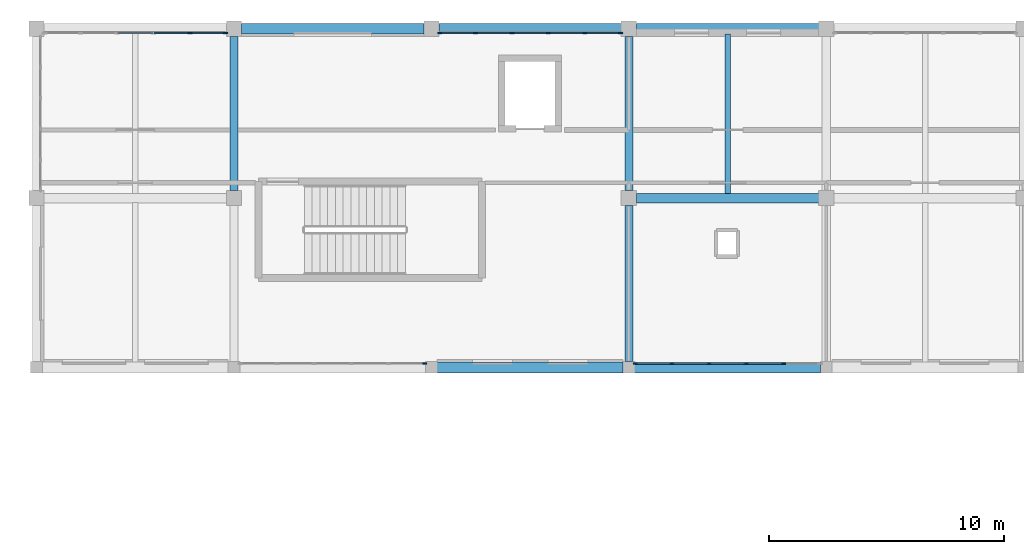
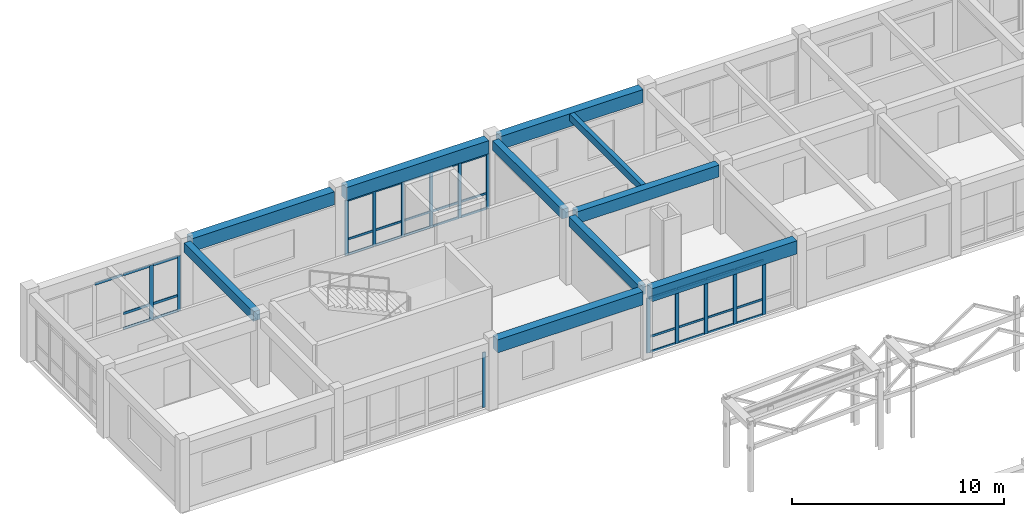
# One storey, part 35 of 89: 48 members, 10 beams, 4 elements without a shape of their own.
"""IFC4 building model written with IfcOpenShell, lengths in metres."""

from ifc_helpers import new_model, si_unit, direction, frame, origin, origin_2d, place, context, subcontext, project, spatial, rectangle, extrude, material, material_profile, profile_set, type_object, element, aggregate, save


model = new_model("IFC4")

# Units and contexts
model_context = context("Model", 3, precision=1e-05, world=origin(), true_north=direction((0.0, 1.0)))
body_context = subcontext(model_context, "Body", "Model", "MODEL_VIEW")
ifc_project = project(units=[si_unit("LENGTHUNIT", "METRE"), si_unit("AREAUNIT", "SQUARE_METRE"), si_unit("VOLUMEUNIT", "CUBIC_METRE"), si_unit("PLANEANGLEUNIT", "RADIAN"), si_unit("MASSUNIT", "GRAM", prefix="KILO")], contexts=[model_context])

# Site, building, storey
site_placement = place(None, origin())
site = spatial("IfcSite", under=ifc_project, at=site_placement, CompositionType="ELEMENT")
building_placement = place(site_placement, origin())
building = spatial("IfcBuilding", under=site, at=building_placement, Name="Malvenik Polytechnic", CompositionType="ELEMENT")
storey_placement = place(building_placement, frame((0.0, 0.0, 13.5)))
storey = spatial("IfcBuildingStorey", under=building, at=storey_placement, Name="L03", CompositionType="ELEMENT", Elevation=13.5)

# Curtain wall, member
ifc_material_1 = material(Name="Anodised aluminium 6060-T6", Category="aluminium")
curtain_wall_type = type_object("IfcCurtainWallType", Name="ARC-CW-CW-02", PredefinedType="NOTDEFINED", material=ifc_material_1)
curtain_wall_1_placement = place(storey_placement, origin())
curtain_wall_1 = element("IfcCurtainWall", 1, at=curtain_wall_1_placement, inside=storey, type_object=curtain_wall_type, Name="Unitised Curtain Wall CW-02 L03 #172", PredefinedType="NOTDEFINED")
ifc_material_2 = material(Name="Anodised aluminium", Category="aluminium")
ifc_material_profile_1 = material_profile(ifc_material_2, rectangle(XDim=0.06005859375, YDim=0.179931640625, at=origin_2d()), Name="ALU MULLION 60x180")
ifc_profile_set_1 = profile_set([ifc_material_profile_1], Name="Anodised aluminium")
member_type_1 = type_object("IfcMemberType", Name="ARC-CWM-180", PredefinedType="MULLION", material=ifc_profile_set_1)
member_1_placement = place(storey_placement, frame((16.52197265625, 115.3701171875, 0.0), z_axis=(0.0, 0.0, 1.0), x_axis=(0.0, -1.0, 0.0)))
member_1 = element("IfcMember", 2, at=member_1_placement, type_object=member_type_1, Name="CW-02 mullion 1", PredefinedType="MULLION", context=body_context, shape_type="SweptSolid", body=[
    extrude(rectangle(XDim=0.06005859375, YDim=0.179931640625, at=origin_2d()), origin(), (0.0, 0.0, 1.0), 3.159912109375),
])
aggregate(curtain_wall_1, [member_1])

# Curtain wall, members
curtain_wall_2_placement = place(storey_placement, origin())
curtain_wall_2 = element("IfcCurtainWall", 3, at=curtain_wall_2_placement, inside=storey, type_object=curtain_wall_type, Name="Unitised Curtain Wall CW-02 L03 #175", PredefinedType="NOTDEFINED")
member_2_placement = place(storey_placement, frame((17.153076171875, 129.429931640625, 0.0), z_axis=(0.0, 0.0, 1.0), x_axis=(0.0, 1.0, 0.0)))
member_2 = element("IfcMember", 4, at=member_2_placement, type_object=member_type_1, Name="CW-02 mullion 1", PredefinedType="MULLION", context=body_context, shape_type="SweptSolid", body=[
    extrude(rectangle(XDim=0.06005859375, YDim=0.179931640625, at=origin_2d()), origin(), (0.0, 0.0, 1.0), 3.159912109375),
])
member_3_placement = place(storey_placement, frame((18.673828125, 129.429931640625, 0.0), z_axis=(0.0, 0.0, 1.0), x_axis=(0.0, 1.0, 0.0)))
member_3 = element("IfcMember", 5, at=member_3_placement, type_object=member_type_1, Name="CW-02 mullion 2", PredefinedType="MULLION", context=body_context, shape_type="SweptSolid", body=[
    extrude(rectangle(XDim=0.06005859375, YDim=0.179931640625, at=origin_2d()), origin(), (0.0, 0.0, 1.0), 3.159912109375),
])
member_4_placement = place(storey_placement, frame((20.224609375, 129.429931640625, 0.0), z_axis=(0.0, 0.0, 1.0), x_axis=(0.0, 1.0, 0.0)))
member_4 = element("IfcMember", 6, at=member_4_placement, type_object=member_type_1, Name="CW-02 mullion 3", PredefinedType="MULLION", context=body_context, shape_type="SweptSolid", body=[
    extrude(rectangle(XDim=0.06005859375, YDim=0.179931640625, at=origin_2d()), origin(), (0.0, 0.0, 1.0), 3.159912109375),
])
member_5_placement = place(storey_placement, frame((21.775390625, 129.429931640625, 0.0), z_axis=(0.0, 0.0, 1.0), x_axis=(0.0, 1.0, 0.0)))
member_5 = element("IfcMember", 7, at=member_5_placement, type_object=member_type_1, Name="CW-02 mullion 4", PredefinedType="MULLION", context=body_context, shape_type="SweptSolid", body=[
    extrude(rectangle(XDim=0.06005859375, YDim=0.179931640625, at=origin_2d()), origin(), (0.0, 0.0, 1.0), 3.159912109375),
])
member_6_placement = place(storey_placement, frame((23.326171875, 129.429931640625, 0.0), z_axis=(0.0, 0.0, 1.0), x_axis=(0.0, 1.0, 0.0)))
member_6 = element("IfcMember", 8, at=member_6_placement, type_object=member_type_1, Name="CW-02 mullion 5", PredefinedType="MULLION", context=body_context, shape_type="SweptSolid", body=[
    extrude(rectangle(XDim=0.06005859375, YDim=0.179931640625, at=origin_2d()), origin(), (0.0, 0.0, 1.0), 3.159912109375),
])
member_7_placement = place(storey_placement, frame((24.846923828125, 129.429931640625, 0.0), z_axis=(0.0, 0.0, 1.0), x_axis=(0.0, 1.0, 0.0)))
member_7 = element("IfcMember", 9, at=member_7_placement, type_object=member_type_1, Name="CW-02 mullion 6", PredefinedType="MULLION", context=body_context, shape_type="SweptSolid", body=[
    extrude(rectangle(XDim=0.06005859375, YDim=0.179931640625, at=origin_2d()), origin(), (0.0, 0.0, 1.0), 3.159912109375),
])

curtain_wall_3_placement = place(storey_placement, origin())
curtain_wall_3 = element("IfcCurtainWall", 10, at=curtain_wall_3_placement, inside=storey, type_object=curtain_wall_type, Name="Unitised Curtain Wall CW-02 L03 #171", PredefinedType="NOTDEFINED")
ifc_material_profile_2 = material_profile(ifc_material_2, rectangle(XDim=0.06005859375, YDim=0.199951171875, at=origin_2d()), Name="ALU MULLION 60x200")
ifc_profile_set_2 = profile_set([ifc_material_profile_2], Name="Anodised aluminium")
member_type_2 = type_object("IfcMemberType", Name="ARC-CWM-200", PredefinedType="MULLION", material=ifc_profile_set_2)
member_8_placement = place(storey_placement, frame((31.771240234375, 115.3701171875, 0.0), z_axis=(0.0, 0.0, 1.0), x_axis=(0.0, -1.0, 0.0)))
member_8 = element("IfcMember", 11, at=member_8_placement, type_object=member_type_2, Name="CW-02 mullion 2", PredefinedType="MULLION", context=body_context, shape_type="SweptSolid", body=[
    extrude(rectangle(XDim=0.06005859375, YDim=0.199951171875, at=origin_2d()), origin(), (0.0, 0.0, 1.0), 3.159912109375),
])
member_9_placement = place(storey_placement, frame((30.1904296875, 115.3701171875, 0.0), z_axis=(0.0, 0.0, 1.0), x_axis=(0.0, -1.0, 0.0)))
member_9 = element("IfcMember", 12, at=member_9_placement, type_object=member_type_2, Name="CW-02 mullion 3", PredefinedType="MULLION", context=body_context, shape_type="SweptSolid", body=[
    extrude(rectangle(XDim=0.06005859375, YDim=0.199951171875, at=origin_2d()), origin(), (0.0, 0.0, 1.0), 3.159912109375),
])
member_10_placement = place(storey_placement, frame((28.609619140625, 115.3701171875, 0.0), z_axis=(0.0, 0.0, 1.0), x_axis=(0.0, -1.0, 0.0)))
member_10 = element("IfcMember", 13, at=member_10_placement, type_object=member_type_2, Name="CW-02 mullion 4", PredefinedType="MULLION", context=body_context, shape_type="SweptSolid", body=[
    extrude(rectangle(XDim=0.06005859375, YDim=0.199951171875, at=origin_2d()), origin(), (0.0, 0.0, 1.0), 3.159912109375),
])
member_11_placement = place(storey_placement, frame((27.02880859375, 115.3701171875, 0.0), z_axis=(0.0, 0.0, 1.0), x_axis=(0.0, -1.0, 0.0)))
member_11 = element("IfcMember", 14, at=member_11_placement, type_object=member_type_2, Name="CW-02 mullion 5", PredefinedType="MULLION", context=body_context, shape_type="SweptSolid", body=[
    extrude(rectangle(XDim=0.06005859375, YDim=0.199951171875, at=origin_2d()), origin(), (0.0, 0.0, 1.0), 3.159912109375),
])
member_12_placement = place(storey_placement, frame((25.47802734375, 115.3701171875, 0.0), z_axis=(0.0, 0.0, 1.0), x_axis=(0.0, -1.0, 0.0)))
member_12 = element("IfcMember", 15, at=member_12_placement, type_object=member_type_2, Name="CW-02 mullion 6", PredefinedType="MULLION", context=body_context, shape_type="SweptSolid", body=[
    extrude(rectangle(XDim=0.06005859375, YDim=0.199951171875, at=origin_2d()), origin(), (0.0, 0.0, 1.0), 3.159912109375),
])

curtain_wall_4_placement = place(storey_placement, origin())
curtain_wall_4 = element("IfcCurtainWall", 16, at=curtain_wall_4_placement, inside=storey, type_object=curtain_wall_type, Name="Unitised Curtain Wall CW-02 L03 #174", PredefinedType="NOTDEFINED")
member_13_placement = place(storey_placement, frame((6.526123046875, 129.429931640625, 0.0), z_axis=(0.0, 0.0, 1.0), x_axis=(0.0, 1.0, 0.0)))
member_13 = element("IfcMember", 17, at=member_13_placement, type_object=member_type_2, Name="CW-02 mullion 5", PredefinedType="MULLION", context=body_context, shape_type="SweptSolid", body=[
    extrude(rectangle(XDim=0.06005859375, YDim=0.199951171875, at=origin_2d()), origin(), (0.0, 0.0, 1.0), 3.159912109375),
])
member_14_placement = place(storey_placement, frame((8.047119140625, 129.429931640625, 0.0), z_axis=(0.0, 0.0, 1.0), x_axis=(0.0, 1.0, 0.0)))
member_14 = element("IfcMember", 18, at=member_14_placement, type_object=member_type_2, Name="CW-02 mullion 6", PredefinedType="MULLION", context=body_context, shape_type="SweptSolid", body=[
    extrude(rectangle(XDim=0.06005859375, YDim=0.199951171875, at=origin_2d()), origin(), (0.0, 0.0, 1.0), 3.159912109375),
])

# Member
ifc_material_profile_3 = material_profile(ifc_material_2, rectangle(XDim=0.06005859375, YDim=0.1201171875, at=origin_2d()), Name="ALU TRANSOM 60x120")
ifc_profile_set_3 = profile_set([ifc_material_profile_3], Name="Anodised aluminium")
member_type_3 = type_object("IfcMemberType", Name="ARC-CWT-120", PredefinedType="USERDEFINED", material=ifc_profile_set_3)
member_15_placement = place(storey_placement, frame((31.7412109375, 115.3701171875, 0.030029296875), z_axis=(-1.0, 0.0, 0.0), x_axis=(0.0, -1.0, 0.0)))
member_15 = element("IfcMember", 19, at=member_15_placement, type_object=member_type_3, Name="CW-02 transom 2.1", ObjectType="TRANSOM", PredefinedType="USERDEFINED", context=body_context, shape_type="SweptSolid", body=[
    extrude(rectangle(XDim=0.06005859375, YDim=0.1201171875, at=origin_2d()), origin(), (0.0, 0.0, 1.0), 1.520751953125),
])

member_16_placement = place(storey_placement, frame((31.7412109375, 115.3701171875, 0.89990234375), z_axis=(-1.0, 0.0, 0.0), x_axis=(0.0, -1.0, 0.0)))
member_16 = element("IfcMember", 20, at=member_16_placement, type_object=member_type_3, Name="CW-02 transom 2.2", ObjectType="TRANSOM", PredefinedType="USERDEFINED", context=body_context, shape_type="SweptSolid", body=[
    extrude(rectangle(XDim=0.06005859375, YDim=0.1201171875, at=origin_2d()), origin(), (0.0, 0.0, 1.0), 1.520751953125),
])

member_17_placement = place(storey_placement, frame((31.7412109375, 115.3701171875, 3.1298828125), z_axis=(-1.0, 0.0, 0.0), x_axis=(0.0, -1.0, 0.0)))
member_17 = element("IfcMember", 21, at=member_17_placement, type_object=member_type_3, Name="CW-02 transom 2.3", ObjectType="TRANSOM", PredefinedType="USERDEFINED", context=body_context, shape_type="SweptSolid", body=[
    extrude(rectangle(XDim=0.06005859375, YDim=0.1201171875, at=origin_2d()), origin(), (0.0, 0.0, 1.0), 1.520751953125),
])

member_18_placement = place(storey_placement, frame((30.160400390625, 115.3701171875, 0.030029296875), z_axis=(-1.0, 0.0, 0.0), x_axis=(0.0, -1.0, 0.0)))
member_18 = element("IfcMember", 22, at=member_18_placement, type_object=member_type_3, Name="CW-02 transom 3.1", ObjectType="TRANSOM", PredefinedType="USERDEFINED", context=body_context, shape_type="SweptSolid", body=[
    extrude(rectangle(XDim=0.06005859375, YDim=0.1201171875, at=origin_2d()), origin(), (0.0, 0.0, 1.0), 1.520751953125),
])

member_19_placement = place(storey_placement, frame((30.160400390625, 115.3701171875, 0.89990234375), z_axis=(-1.0, 0.0, 0.0), x_axis=(0.0, -1.0, 0.0)))
member_19 = element("IfcMember", 23, at=member_19_placement, type_object=member_type_3, Name="CW-02 transom 3.2", ObjectType="TRANSOM", PredefinedType="USERDEFINED", context=body_context, shape_type="SweptSolid", body=[
    extrude(rectangle(XDim=0.06005859375, YDim=0.1201171875, at=origin_2d()), origin(), (0.0, 0.0, 1.0), 1.520751953125),
])

member_20_placement = place(storey_placement, frame((30.160400390625, 115.3701171875, 3.1298828125), z_axis=(-1.0, 0.0, 0.0), x_axis=(0.0, -1.0, 0.0)))
member_20 = element("IfcMember", 24, at=member_20_placement, type_object=member_type_3, Name="CW-02 transom 3.3", ObjectType="TRANSOM", PredefinedType="USERDEFINED", context=body_context, shape_type="SweptSolid", body=[
    extrude(rectangle(XDim=0.06005859375, YDim=0.1201171875, at=origin_2d()), origin(), (0.0, 0.0, 1.0), 1.520751953125),
])

member_21_placement = place(storey_placement, frame((28.57958984375, 115.3701171875, 0.030029296875), z_axis=(-1.0, 0.0, 0.0), x_axis=(0.0, -1.0, 0.0)))
member_21 = element("IfcMember", 25, at=member_21_placement, type_object=member_type_3, Name="CW-02 transom 4.1", ObjectType="TRANSOM", PredefinedType="USERDEFINED", context=body_context, shape_type="SweptSolid", body=[
    extrude(rectangle(XDim=0.06005859375, YDim=0.1201171875, at=origin_2d()), origin(), (0.0, 0.0, 1.0), 1.520751953125),
])

member_22_placement = place(storey_placement, frame((28.57958984375, 115.3701171875, 0.89990234375), z_axis=(-1.0, 0.0, 0.0), x_axis=(0.0, -1.0, 0.0)))
member_22 = element("IfcMember", 26, at=member_22_placement, type_object=member_type_3, Name="CW-02 transom 4.2", ObjectType="TRANSOM", PredefinedType="USERDEFINED", context=body_context, shape_type="SweptSolid", body=[
    extrude(rectangle(XDim=0.06005859375, YDim=0.1201171875, at=origin_2d()), origin(), (0.0, 0.0, 1.0), 1.520751953125),
])

member_23_placement = place(storey_placement, frame((28.57958984375, 115.3701171875, 3.1298828125), z_axis=(-1.0, 0.0, 0.0), x_axis=(0.0, -1.0, 0.0)))
member_23 = element("IfcMember", 27, at=member_23_placement, type_object=member_type_3, Name="CW-02 transom 4.3", ObjectType="TRANSOM", PredefinedType="USERDEFINED", context=body_context, shape_type="SweptSolid", body=[
    extrude(rectangle(XDim=0.06005859375, YDim=0.1201171875, at=origin_2d()), origin(), (0.0, 0.0, 1.0), 1.520751953125),
])

member_24_placement = place(storey_placement, frame((26.998779296875, 115.3701171875, 0.030029296875), z_axis=(-1.0, 0.0, 0.0), x_axis=(0.0, -1.0, 0.0)))
member_24 = element("IfcMember", 28, at=member_24_placement, type_object=member_type_3, Name="CW-02 transom 5.1", ObjectType="TRANSOM", PredefinedType="USERDEFINED", context=body_context, shape_type="SweptSolid", body=[
    extrude(rectangle(XDim=0.06005859375, YDim=0.1201171875, at=origin_2d()), origin(), (0.0, 0.0, 1.0), 1.49072265625),
])

member_25_placement = place(storey_placement, frame((26.998779296875, 115.3701171875, 0.89990234375), z_axis=(-1.0, 0.0, 0.0), x_axis=(0.0, -1.0, 0.0)))
member_25 = element("IfcMember", 29, at=member_25_placement, type_object=member_type_3, Name="CW-02 transom 5.2", ObjectType="TRANSOM", PredefinedType="USERDEFINED", context=body_context, shape_type="SweptSolid", body=[
    extrude(rectangle(XDim=0.06005859375, YDim=0.1201171875, at=origin_2d()), origin(), (0.0, 0.0, 1.0), 1.49072265625),
])

member_26_placement = place(storey_placement, frame((26.998779296875, 115.3701171875, 3.1298828125), z_axis=(-1.0, 0.0, 0.0), x_axis=(0.0, -1.0, 0.0)))
member_26 = element("IfcMember", 30, at=member_26_placement, type_object=member_type_3, Name="CW-02 transom 5.3", ObjectType="TRANSOM", PredefinedType="USERDEFINED", context=body_context, shape_type="SweptSolid", body=[
    extrude(rectangle(XDim=0.06005859375, YDim=0.1201171875, at=origin_2d()), origin(), (0.0, 0.0, 1.0), 1.49072265625),
])

aggregate(curtain_wall_3, [member_8, member_9, member_10, member_11, member_12, member_15, member_16, member_17, member_18, member_19, member_20, member_21, member_22, member_23, member_24, member_25, member_26])

member_27_placement = place(storey_placement, frame((17.18310546875, 129.429931640625, 0.030029296875), z_axis=(1.0, 0.0, 0.0), x_axis=(0.0, 1.0, 0.0)))
member_27 = element("IfcMember", 31, at=member_27_placement, type_object=member_type_3, Name="CW-02 transom 1.1", ObjectType="TRANSOM", PredefinedType="USERDEFINED", context=body_context, shape_type="SweptSolid", body=[
    extrude(rectangle(XDim=0.06005859375, YDim=0.1201171875, at=origin_2d()), origin(), (0.0, 0.0, 1.0), 1.460693359375),
])

member_28_placement = place(storey_placement, frame((17.18310546875, 129.429931640625, 0.89990234375), z_axis=(1.0, 0.0, 0.0), x_axis=(0.0, 1.0, 0.0)))
member_28 = element("IfcMember", 32, at=member_28_placement, type_object=member_type_3, Name="CW-02 transom 1.2", ObjectType="TRANSOM", PredefinedType="USERDEFINED", context=body_context, shape_type="SweptSolid", body=[
    extrude(rectangle(XDim=0.06005859375, YDim=0.1201171875, at=origin_2d()), origin(), (0.0, 0.0, 1.0), 1.460693359375),
])

member_29_placement = place(storey_placement, frame((17.18310546875, 129.429931640625, 3.1298828125), z_axis=(1.0, 0.0, 0.0), x_axis=(0.0, 1.0, 0.0)))
member_29 = element("IfcMember", 33, at=member_29_placement, type_object=member_type_3, Name="CW-02 transom 1.3", ObjectType="TRANSOM", PredefinedType="USERDEFINED", context=body_context, shape_type="SweptSolid", body=[
    extrude(rectangle(XDim=0.06005859375, YDim=0.1201171875, at=origin_2d()), origin(), (0.0, 0.0, 1.0), 1.460693359375),
])

member_30_placement = place(storey_placement, frame((18.703857421875, 129.429931640625, 0.030029296875), z_axis=(1.0, 0.0, 0.0), x_axis=(0.0, 1.0, 0.0)))
member_30 = element("IfcMember", 34, at=member_30_placement, type_object=member_type_3, Name="CW-02 transom 2.1", ObjectType="TRANSOM", PredefinedType="USERDEFINED", context=body_context, shape_type="SweptSolid", body=[
    extrude(rectangle(XDim=0.06005859375, YDim=0.1201171875, at=origin_2d()), origin(), (0.0, 0.0, 1.0), 1.49072265625),
])

member_31_placement = place(storey_placement, frame((18.703857421875, 129.429931640625, 0.89990234375), z_axis=(1.0, 0.0, 0.0), x_axis=(0.0, 1.0, 0.0)))
member_31 = element("IfcMember", 35, at=member_31_placement, type_object=member_type_3, Name="CW-02 transom 2.2", ObjectType="TRANSOM", PredefinedType="USERDEFINED", context=body_context, shape_type="SweptSolid", body=[
    extrude(rectangle(XDim=0.06005859375, YDim=0.1201171875, at=origin_2d()), origin(), (0.0, 0.0, 1.0), 1.49072265625),
])

member_32_placement = place(storey_placement, frame((18.703857421875, 129.429931640625, 3.1298828125), z_axis=(1.0, 0.0, 0.0), x_axis=(0.0, 1.0, 0.0)))
member_32 = element("IfcMember", 36, at=member_32_placement, type_object=member_type_3, Name="CW-02 transom 2.3", ObjectType="TRANSOM", PredefinedType="USERDEFINED", context=body_context, shape_type="SweptSolid", body=[
    extrude(rectangle(XDim=0.06005859375, YDim=0.1201171875, at=origin_2d()), origin(), (0.0, 0.0, 1.0), 1.49072265625),
])

member_33_placement = place(storey_placement, frame((20.254638671875, 129.429931640625, 0.030029296875), z_axis=(1.0, 0.0, 0.0), x_axis=(0.0, 1.0, 0.0)))
member_33 = element("IfcMember", 37, at=member_33_placement, type_object=member_type_3, Name="CW-02 transom 3.1", ObjectType="TRANSOM", PredefinedType="USERDEFINED", context=body_context, shape_type="SweptSolid", body=[
    extrude(rectangle(XDim=0.06005859375, YDim=0.1201171875, at=origin_2d()), origin(), (0.0, 0.0, 1.0), 1.49072265625),
])

member_34_placement = place(storey_placement, frame((20.254638671875, 129.429931640625, 0.89990234375), z_axis=(1.0, 0.0, 0.0), x_axis=(0.0, 1.0, 0.0)))
member_34 = element("IfcMember", 38, at=member_34_placement, type_object=member_type_3, Name="CW-02 transom 3.2", ObjectType="TRANSOM", PredefinedType="USERDEFINED", context=body_context, shape_type="SweptSolid", body=[
    extrude(rectangle(XDim=0.06005859375, YDim=0.1201171875, at=origin_2d()), origin(), (0.0, 0.0, 1.0), 1.49072265625),
])

member_35_placement = place(storey_placement, frame((20.254638671875, 129.429931640625, 3.1298828125), z_axis=(1.0, 0.0, 0.0), x_axis=(0.0, 1.0, 0.0)))
member_35 = element("IfcMember", 39, at=member_35_placement, type_object=member_type_3, Name="CW-02 transom 3.3", ObjectType="TRANSOM", PredefinedType="USERDEFINED", context=body_context, shape_type="SweptSolid", body=[
    extrude(rectangle(XDim=0.06005859375, YDim=0.1201171875, at=origin_2d()), origin(), (0.0, 0.0, 1.0), 1.49072265625),
])

member_36_placement = place(storey_placement, frame((21.805419921875, 129.429931640625, 0.030029296875), z_axis=(1.0, 0.0, 0.0), x_axis=(0.0, 1.0, 0.0)))
member_36 = element("IfcMember", 40, at=member_36_placement, type_object=member_type_3, Name="CW-02 transom 4.1", ObjectType="TRANSOM", PredefinedType="USERDEFINED", context=body_context, shape_type="SweptSolid", body=[
    extrude(rectangle(XDim=0.06005859375, YDim=0.1201171875, at=origin_2d()), origin(), (0.0, 0.0, 1.0), 1.49072265625),
])

member_37_placement = place(storey_placement, frame((21.805419921875, 129.429931640625, 0.89990234375), z_axis=(1.0, 0.0, 0.0), x_axis=(0.0, 1.0, 0.0)))
member_37 = element("IfcMember", 41, at=member_37_placement, type_object=member_type_3, Name="CW-02 transom 4.2", ObjectType="TRANSOM", PredefinedType="USERDEFINED", context=body_context, shape_type="SweptSolid", body=[
    extrude(rectangle(XDim=0.06005859375, YDim=0.1201171875, at=origin_2d()), origin(), (0.0, 0.0, 1.0), 1.49072265625),
])

member_38_placement = place(storey_placement, frame((21.805419921875, 129.429931640625, 3.1298828125), z_axis=(1.0, 0.0, 0.0), x_axis=(0.0, 1.0, 0.0)))
member_38 = element("IfcMember", 42, at=member_38_placement, type_object=member_type_3, Name="CW-02 transom 4.3", ObjectType="TRANSOM", PredefinedType="USERDEFINED", context=body_context, shape_type="SweptSolid", body=[
    extrude(rectangle(XDim=0.06005859375, YDim=0.1201171875, at=origin_2d()), origin(), (0.0, 0.0, 1.0), 1.49072265625),
])

member_39_placement = place(storey_placement, frame((23.356201171875, 129.429931640625, 0.030029296875), z_axis=(1.0, 0.0, 0.0), x_axis=(0.0, 1.0, 0.0)))
member_39 = element("IfcMember", 43, at=member_39_placement, type_object=member_type_3, Name="CW-02 transom 5.1", ObjectType="TRANSOM", PredefinedType="USERDEFINED", context=body_context, shape_type="SweptSolid", body=[
    extrude(rectangle(XDim=0.06005859375, YDim=0.1201171875, at=origin_2d()), origin(), (0.0, 0.0, 1.0), 1.460693359375),
])

member_40_placement = place(storey_placement, frame((23.356201171875, 129.429931640625, 0.89990234375), z_axis=(1.0, 0.0, 0.0), x_axis=(0.0, 1.0, 0.0)))
member_40 = element("IfcMember", 44, at=member_40_placement, type_object=member_type_3, Name="CW-02 transom 5.2", ObjectType="TRANSOM", PredefinedType="USERDEFINED", context=body_context, shape_type="SweptSolid", body=[
    extrude(rectangle(XDim=0.06005859375, YDim=0.1201171875, at=origin_2d()), origin(), (0.0, 0.0, 1.0), 1.460693359375),
])

member_41_placement = place(storey_placement, frame((23.356201171875, 129.429931640625, 3.1298828125), z_axis=(1.0, 0.0, 0.0), x_axis=(0.0, 1.0, 0.0)))
member_41 = element("IfcMember", 45, at=member_41_placement, type_object=member_type_3, Name="CW-02 transom 5.3", ObjectType="TRANSOM", PredefinedType="USERDEFINED", context=body_context, shape_type="SweptSolid", body=[
    extrude(rectangle(XDim=0.06005859375, YDim=0.1201171875, at=origin_2d()), origin(), (0.0, 0.0, 1.0), 1.460693359375),
])

aggregate(curtain_wall_2, [member_2, member_3, member_4, member_5, member_6, member_7, member_27, member_28, member_29, member_30, member_31, member_32, member_33, member_34, member_35, member_36, member_37, member_38, member_39, member_40, member_41])

ifc_material_profile_4 = material_profile(ifc_material_2, rectangle(XDim=0.06005859375, YDim=0.139892578125, at=origin_2d()), Name="ALU TRANSOM 60x140")
ifc_profile_set_4 = profile_set([ifc_material_profile_4], Name="Anodised aluminium")
member_type_4 = type_object("IfcMemberType", Name="ARC-CWT-140", PredefinedType="USERDEFINED", material=ifc_profile_set_4)
member_42_placement = place(storey_placement, frame((3.45458984375, 129.429931640625, 3.1298828125), z_axis=(1.0, 0.0, 0.0), x_axis=(0.0, 1.0, 0.0)))
member_42 = element("IfcMember", 46, at=member_42_placement, type_object=member_type_4, Name="CW-02 transom 3.3", ObjectType="TRANSOM", PredefinedType="USERDEFINED", context=body_context, shape_type="SweptSolid", body=[
    extrude(rectangle(XDim=0.06005859375, YDim=0.139892578125, at=origin_2d()), origin(), (0.0, 0.0, 1.0), 1.49072265625),
])

member_43_placement = place(storey_placement, frame((5.00537109375, 129.429931640625, 0.030029296875), z_axis=(1.0, 0.0, 0.0), x_axis=(0.0, 1.0, 0.0)))
member_43 = element("IfcMember", 47, at=member_43_placement, type_object=member_type_4, Name="CW-02 transom 4.1", ObjectType="TRANSOM", PredefinedType="USERDEFINED", context=body_context, shape_type="SweptSolid", body=[
    extrude(rectangle(XDim=0.06005859375, YDim=0.139892578125, at=origin_2d()), origin(), (0.0, 0.0, 1.0), 1.49072265625),
])

member_44_placement = place(storey_placement, frame((5.00537109375, 129.429931640625, 0.89990234375), z_axis=(1.0, 0.0, 0.0), x_axis=(0.0, 1.0, 0.0)))
member_44 = element("IfcMember", 48, at=member_44_placement, type_object=member_type_4, Name="CW-02 transom 4.2", ObjectType="TRANSOM", PredefinedType="USERDEFINED", context=body_context, shape_type="SweptSolid", body=[
    extrude(rectangle(XDim=0.06005859375, YDim=0.139892578125, at=origin_2d()), origin(), (0.0, 0.0, 1.0), 1.49072265625),
])

member_45_placement = place(storey_placement, frame((5.00537109375, 129.429931640625, 3.1298828125), z_axis=(1.0, 0.0, 0.0), x_axis=(0.0, 1.0, 0.0)))
member_45 = element("IfcMember", 49, at=member_45_placement, type_object=member_type_4, Name="CW-02 transom 4.3", ObjectType="TRANSOM", PredefinedType="USERDEFINED", context=body_context, shape_type="SweptSolid", body=[
    extrude(rectangle(XDim=0.06005859375, YDim=0.139892578125, at=origin_2d()), origin(), (0.0, 0.0, 1.0), 1.49072265625),
])

member_46_placement = place(storey_placement, frame((6.55615234375, 129.429931640625, 0.030029296875), z_axis=(1.0, 0.0, 0.0), x_axis=(0.0, 1.0, 0.0)))
member_46 = element("IfcMember", 50, at=member_46_placement, type_object=member_type_4, Name="CW-02 transom 5.1", ObjectType="TRANSOM", PredefinedType="USERDEFINED", context=body_context, shape_type="SweptSolid", body=[
    extrude(rectangle(XDim=0.06005859375, YDim=0.139892578125, at=origin_2d()), origin(), (0.0, 0.0, 1.0), 1.4609375),
])

member_47_placement = place(storey_placement, frame((6.55615234375, 129.429931640625, 0.89990234375), z_axis=(1.0, 0.0, 0.0), x_axis=(0.0, 1.0, 0.0)))
member_47 = element("IfcMember", 51, at=member_47_placement, type_object=member_type_4, Name="CW-02 transom 5.2", ObjectType="TRANSOM", PredefinedType="USERDEFINED", context=body_context, shape_type="SweptSolid", body=[
    extrude(rectangle(XDim=0.06005859375, YDim=0.139892578125, at=origin_2d()), origin(), (0.0, 0.0, 1.0), 1.4609375),
])

member_48_placement = place(storey_placement, frame((6.55615234375, 129.429931640625, 3.1298828125), z_axis=(1.0, 0.0, 0.0), x_axis=(0.0, 1.0, 0.0)))
member_48 = element("IfcMember", 52, at=member_48_placement, type_object=member_type_4, Name="CW-02 transom 5.3", ObjectType="TRANSOM", PredefinedType="USERDEFINED", context=body_context, shape_type="SweptSolid", body=[
    extrude(rectangle(XDim=0.06005859375, YDim=0.139892578125, at=origin_2d()), origin(), (0.0, 0.0, 1.0), 1.4609375),
])

aggregate(curtain_wall_4, [member_13, member_14, member_42, member_43, member_44, member_45, member_46, member_47, member_48])

# Beams
ifc_material_3 = material(Name="Concrete C35/45", Category="concrete")
ifc_material_profile_5 = material_profile(ifc_material_3, rectangle(XDim=0.39990234375, YDim=0.679931640625, at=origin_2d()), Name="RC BM 400x680")
ifc_profile_set_5 = profile_set([ifc_material_profile_5], Name="Concrete C35/45")
beam_type_1 = type_object("IfcBeamType", Name="STR-BM-B-05", PredefinedType="BEAM", material=ifc_profile_set_5)
beam_1_placement = place(storey_placement, frame((25.52294921875, 122.39990234375, 3.580078125), z_axis=(1.0, 0.0, 0.0), x_axis=(0.0, 1.0, 0.0)))
element("IfcBeam", 53, at=beam_1_placement, inside=storey, type_object=beam_type_1, Name="Primary Beam B-05 L03 #1694", PredefinedType="BEAM", context=body_context, shape_type="SweptSolid", body=[
    extrude(rectangle(XDim=0.39990234375, YDim=0.679931640625, at=origin_2d()), origin(), (0.0, 0.0, 1.0), 7.754150390625),
])
ifc_material_profile_6 = material_profile(ifc_material_3, rectangle(XDim=0.35009765625, YDim=0.550048828125, at=origin_2d()), Name="RC BM 350x550")
ifc_profile_set_6 = profile_set([ifc_material_profile_6], Name="Concrete C35/45")
beam_type_2 = type_object("IfcBeamType", Name="STR-BM-B-08", PredefinedType="BEAM", material=ifc_profile_set_6)
beam_2_placement = place(storey_placement, frame((8.39990234375, 122.722900390625, 3.64501953125), z_axis=(0.0, 1.0, 0.0), x_axis=(-1.0, 0.0, 0.0)))
element("IfcBeam", 54, at=beam_2_placement, inside=storey, type_object=beam_type_2, Name="Transverse Beam B-08 L03 #1727", PredefinedType="BEAM", context=body_context, shape_type="SweptSolid", body=[
    extrude(rectangle(XDim=0.35009765625, YDim=0.550048828125, at=origin_2d()), origin(), (0.0, 0.0, 1.0), 6.55419921875),
])
beam_3_placement = place(storey_placement, frame((25.199951171875, 115.447998046875, 3.64501953125), z_axis=(0.0, 1.0, 0.0), x_axis=(-1.0, 0.0, 0.0)))
element("IfcBeam", 55, at=beam_3_placement, inside=storey, type_object=beam_type_2, Name="Transverse Beam B-08 L03 #1732", PredefinedType="BEAM", context=body_context, shape_type="SweptSolid", body=[
    extrude(rectangle(XDim=0.35009765625, YDim=0.550048828125, at=origin_2d()), origin(), (0.0, 0.0, 1.0), 6.62890625),
])
beam_4_placement = place(storey_placement, frame((25.199951171875, 122.722900390625, 3.64501953125), z_axis=(0.0, 1.0, 0.0), x_axis=(-1.0, 0.0, 0.0)))
element("IfcBeam", 56, at=beam_4_placement, inside=storey, type_object=beam_type_2, Name="Transverse Beam B-08 L03 #1733", PredefinedType="BEAM", context=body_context, shape_type="SweptSolid", body=[
    extrude(rectangle(XDim=0.35009765625, YDim=0.550048828125, at=origin_2d()), origin(), (0.0, 0.0, 1.0), 6.55419921875),
])
ifc_material_4 = material(Name="Concrete C30/37", Category="concrete")
ifc_material_profile_7 = material_profile(ifc_material_4, rectangle(XDim=0.239990234375, YDim=0.419921875, at=origin_2d()), Name="RC JST 240x420")
ifc_profile_set_7 = profile_set([ifc_material_profile_7], Name="Concrete C30/37")
beam_type_3 = type_object("IfcBeamType", Name="STR-BM-J-03", PredefinedType="JOIST", material=ifc_profile_set_7)
beam_5_placement = place(storey_placement, frame((29.39990234375, 122.597900390625, 3.7099609375), z_axis=(0.0, 1.0, 0.0), x_axis=(-1.0, 0.0, 0.0)))
element("IfcBeam", 57, at=beam_5_placement, inside=storey, type_object=beam_type_3, Name="Secondary Rib Joist J-03 L03 #1791", PredefinedType="JOIST", context=body_context, shape_type="SweptSolid", body=[
    extrude(rectangle(XDim=0.239990234375, YDim=0.419921875, at=origin_2d()), origin(), (0.0, 0.0, 1.0), 6.774169921875),
])
ifc_material_5 = material(Name="Precast concrete C40/50", Category="concrete")
ifc_material_profile_8 = material_profile(ifc_material_5, rectangle(XDim=0.4599609375, YDim=0.75, at=origin_2d()), Name="PC SPN 460x750")
ifc_profile_set_8 = profile_set([ifc_material_profile_8], Name="Precast concrete C40/50")
beam_type_4 = type_object("IfcBeamType", Name="STR-BM-SP-02", PredefinedType="SPANDREL", material=ifc_profile_set_8)
beam_6_placement = place(storey_placement, frame((17.048095703125, 115.199951171875, 3.544921875), z_axis=(1.0, 0.0, 0.0), x_axis=(0.0, 1.0, 0.0)))
element("IfcBeam", 58, at=beam_6_placement, inside=storey, type_object=beam_type_4, Name="Primary Beam SP-02 L03 #1679", PredefinedType="SPANDREL", context=body_context, shape_type="SweptSolid", body=[
    extrude(rectangle(XDim=0.4599609375, YDim=0.75, at=origin_2d()), origin(), (0.0, 0.0, 1.0), 7.90380859375),
])
beam_7_placement = place(storey_placement, frame((25.447998046875, 115.199951171875, 3.544921875), z_axis=(1.0, 0.0, 0.0), x_axis=(0.0, 1.0, 0.0)))
element("IfcBeam", 59, at=beam_7_placement, inside=storey, type_object=beam_type_4, Name="Primary Beam SP-02 L03 #1680", PredefinedType="SPANDREL", context=body_context, shape_type="SweptSolid", body=[
    extrude(rectangle(XDim=0.4599609375, YDim=0.75, at=origin_2d()), origin(), (0.0, 0.0, 1.0), 7.904052734375),
])
beam_8_placement = place(storey_placement, frame((8.722900390625, 129.60009765625, 3.544921875), z_axis=(1.0, 0.0, 0.0), x_axis=(0.0, 1.0, 0.0)))
element("IfcBeam", 60, at=beam_8_placement, inside=storey, type_object=beam_type_4, Name="Primary Beam SP-02 L03 #1704", PredefinedType="SPANDREL", context=body_context, shape_type="SweptSolid", body=[
    extrude(rectangle(XDim=0.4599609375, YDim=0.75, at=origin_2d()), origin(), (0.0, 0.0, 1.0), 7.754150390625),
])
beam_9_placement = place(storey_placement, frame((17.123046875, 129.60009765625, 3.544921875), z_axis=(1.0, 0.0, 0.0), x_axis=(0.0, 1.0, 0.0)))
element("IfcBeam", 61, at=beam_9_placement, inside=storey, type_object=beam_type_4, Name="Primary Beam SP-02 L03 #1705", PredefinedType="SPANDREL", context=body_context, shape_type="SweptSolid", body=[
    extrude(rectangle(XDim=0.4599609375, YDim=0.75, at=origin_2d()), origin(), (0.0, 0.0, 1.0), 7.75390625),
])
beam_10_placement = place(storey_placement, frame((25.52294921875, 129.60009765625, 3.544921875), z_axis=(1.0, 0.0, 0.0), x_axis=(0.0, 1.0, 0.0)))
element("IfcBeam", 62, at=beam_10_placement, inside=storey, type_object=beam_type_4, Name="Primary Beam SP-02 L03 #1706", PredefinedType="SPANDREL", context=body_context, shape_type="SweptSolid", body=[
    extrude(rectangle(XDim=0.4599609375, YDim=0.75, at=origin_2d()), origin(), (0.0, 0.0, 1.0), 7.754150390625),
])

save(model, "model.ifc")
